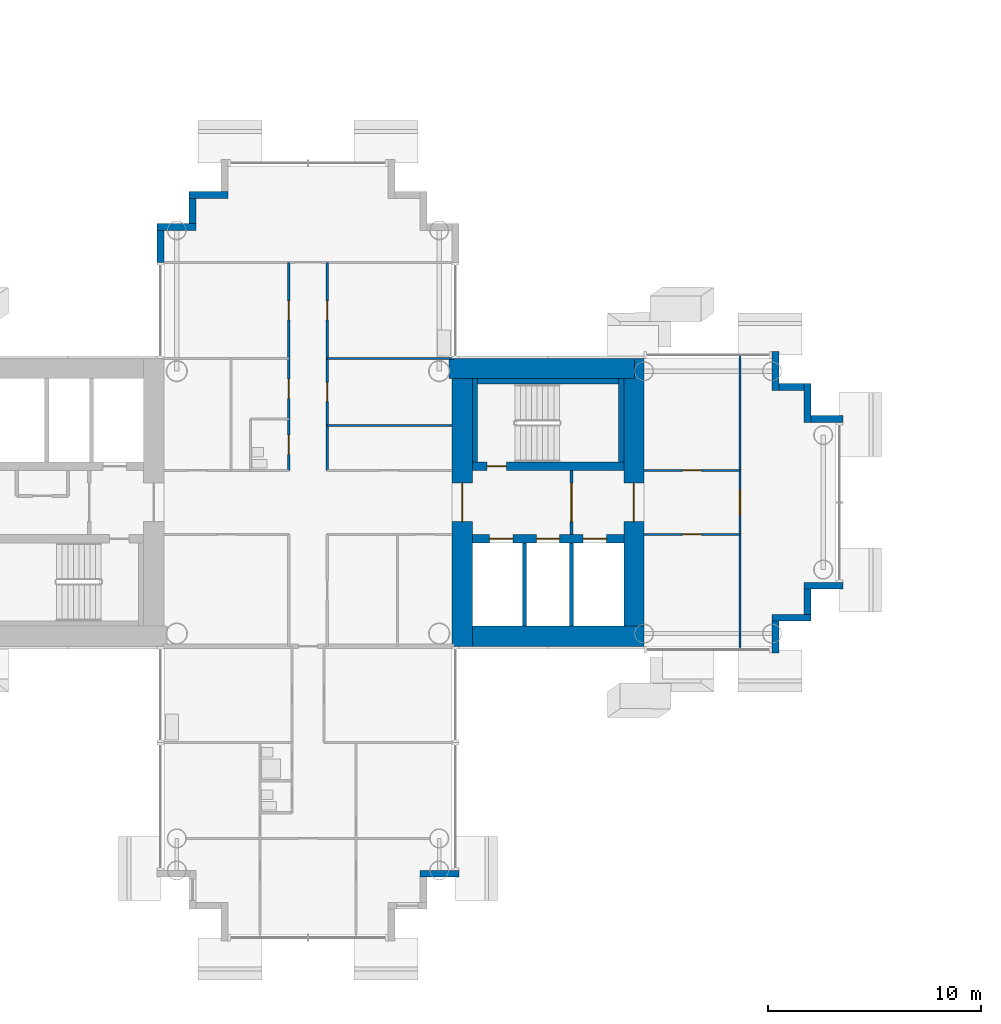
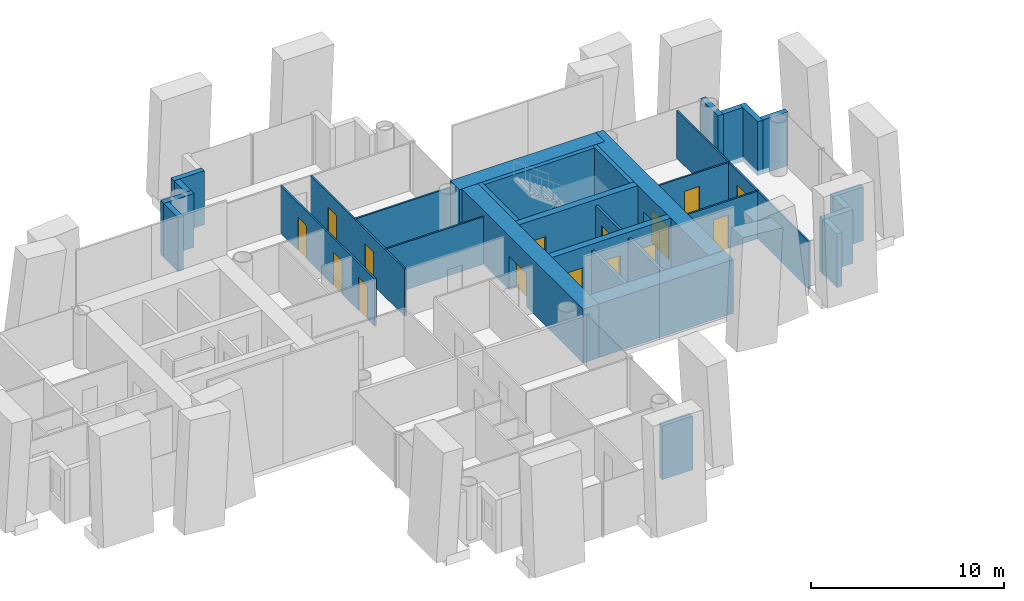
# One storey, part 10 of 21: 32 walls, 15 doors, 15 openings.
"""IFC4 building model written with IfcOpenShell, lengths in metres."""

from ifc_helpers import new_model, si_unit, direction, frame, frame_2d, origin, place, context, subcontext, project, spatial, rectangle, extrude, material, layer, layer_set, type_object, element, fill, save


model = new_model("IFC4")

# Units and contexts
model_context = context("Model", 3, precision=1e-05, world=origin(), true_north=direction((0.0, 1.0)))
body_context = subcontext(model_context, "Body", "Model", "MODEL_VIEW")
ifc_project = project(units=[si_unit("LENGTHUNIT", "METRE"), si_unit("AREAUNIT", "SQUARE_METRE"), si_unit("VOLUMEUNIT", "CUBIC_METRE"), si_unit("PLANEANGLEUNIT", "RADIAN"), si_unit("MASSUNIT", "GRAM", prefix="KILO")], contexts=[model_context])

# Site, building, storey
site_placement = place(None, origin())
site = spatial("IfcSite", under=ifc_project, at=site_placement, CompositionType="ELEMENT")
building_placement = place(site_placement, origin())
building = spatial("IfcBuilding", under=site, at=building_placement, Name="Ipe Terrace Towers", CompositionType="ELEMENT")
storey_placement = place(building_placement, frame((0.0, 0.0, 86.800048828125)))
storey = spatial("IfcBuildingStorey", under=building, at=storey_placement, Name="L23", CompositionType="ELEMENT", Elevation=86.800048828125)

# Walls
ifc_material_1 = material(Name="Concrete C40/50 with buff precast cladding", Category="concrete")
ifc_layer_1 = layer(ifc_material_1, 0.320068359375)
ifc_layer_set_1 = layer_set([ifc_layer_1], Name="BUFF CLADDING WALL 320")
wall_type_1 = type_object("IfcWallType", Name="BUFF CLADDING WALL 320", PredefinedType="STANDARD", material=ifc_layer_set_1)
wall_1_placement = place(storey_placement, frame((-30.75, -17.409912109375, -0.300048828125), z_axis=(0.0, 0.0, 1.0), x_axis=(1.0, 0.0, 0.0)))
element("IfcWall", 1, at=wall_1_placement, inside=storey, type_object=wall_type_1, Name="T1-W-L23-16a wall", PredefinedType="STANDARD", context=body_context, shape_type="SweptSolid", body=[
    extrude(rectangle(XDim=1.820068359375, YDim=0.320068359375, at=frame_2d((0.91015625, 0.0))), origin(), (0.0, 0.0, 1.0), 3.39990234375),
])
wall_2_placement = place(storey_placement, frame((-14.090087890625, -7.070068359375, -0.300048828125), z_axis=(0.0, 0.0, 1.0), x_axis=(0.0, 1.0, 0.0)))
element("IfcWall", 2, at=wall_2_placement, inside=storey, type_object=wall_type_1, Name="T1-W-L23-21a wall", PredefinedType="STANDARD", context=body_context, shape_type="SweptSolid", body=[
    extrude(rectangle(XDim=1.5, YDim=0.320068359375, at=frame_2d((0.75, 0.0))), origin(), (0.0, 0.0, 1.0), 3.39990234375),
])
wall_3_placement = place(storey_placement, frame((-14.25, -5.409912109375, -0.300048828125), z_axis=(0.0, 0.0, 1.0), x_axis=(1.0, 0.0, 0.0)))
element("IfcWall", 3, at=wall_3_placement, inside=storey, type_object=wall_type_1, Name="T1-W-L23-22a wall", PredefinedType="STANDARD", context=body_context, shape_type="SweptSolid", body=[
    extrude(rectangle(XDim=1.820068359375, YDim=0.320068359375, at=frame_2d((0.91015625, 0.0))), origin(), (0.0, 0.0, 1.0), 3.39990234375),
])
wall_4_placement = place(storey_placement, frame((-12.590087890625, -5.25, -0.300048828125), z_axis=(0.0, 0.0, 1.0), x_axis=(0.0, 1.0, 0.0)))
element("IfcWall", 4, at=wall_4_placement, inside=storey, type_object=wall_type_1, Name="T1-W-L23-23a wall", PredefinedType="STANDARD", context=body_context, shape_type="SweptSolid", body=[
    extrude(rectangle(XDim=1.179931640625, YDim=0.320068359375, at=frame_2d((0.58984375, 0.0))), origin(), (0.0, 0.0, 1.0), 3.39990234375),
])
wall_5_placement = place(storey_placement, frame((-12.75, -3.909912109375, -0.300048828125), z_axis=(0.0, 0.0, 1.0), x_axis=(1.0, 0.0, 0.0)))
element("IfcWall", 5, at=wall_5_placement, inside=storey, type_object=wall_type_1, Name="T1-W-L23-24a wall", PredefinedType="STANDARD", context=body_context, shape_type="SweptSolid", body=[
    extrude(rectangle(XDim=1.820068359375, YDim=0.320068359375, at=frame_2d((0.91015625, 0.0))), origin(), (0.0, 0.0, 1.0), 3.39990234375),
])
wall_6_placement = place(storey_placement, frame((-10.929931640625, 3.909912109375, -0.300048828125), z_axis=(0.0, 0.0, 1.0), x_axis=(-1.0, 0.0, 0.0)))
element("IfcWall", 6, at=wall_6_placement, inside=storey, type_object=wall_type_1, Name="T1-W-L23-26a wall", PredefinedType="STANDARD", context=body_context, shape_type="SweptSolid", body=[
    extrude(rectangle(XDim=1.5, YDim=0.320068359375, at=frame_2d((0.75, 0.0))), origin(), (0.0, 0.0, 1.0), 3.39990234375),
])
wall_7_placement = place(storey_placement, frame((-12.590087890625, 3.75, -0.300048828125), z_axis=(0.0, 0.0, 1.0), x_axis=(0.0, 1.0, 0.0)))
element("IfcWall", 7, at=wall_7_placement, inside=storey, type_object=wall_type_1, Name="T1-W-L23-27a wall", PredefinedType="STANDARD", context=body_context, shape_type="SweptSolid", body=[
    extrude(rectangle(XDim=1.820068359375, YDim=0.320068359375, at=frame_2d((0.91015625, 0.0))), origin(), (0.0, 0.0, 1.0), 3.39990234375),
])
wall_8_placement = place(storey_placement, frame((-12.75, 5.409912109375, -0.300048828125), z_axis=(0.0, 0.0, 1.0), x_axis=(-1.0, 0.0, 0.0)))
element("IfcWall", 8, at=wall_8_placement, inside=storey, type_object=wall_type_1, Name="T1-W-L23-28a wall", PredefinedType="STANDARD", context=body_context, shape_type="SweptSolid", body=[
    extrude(rectangle(XDim=1.179931640625, YDim=0.320068359375, at=frame_2d((0.58984375, 0.0))), origin(), (0.0, 0.0, 1.0), 3.39990234375),
])
for number, where, z_axis, x_axis, name in (
    (9, (-14.090087890625, 5.25, -0.300048828125), (0.0, 0.0, 1.0), (0.0, 1.0, 0.0), "T1-W-L23-29a wall"),
    (10, (-39.75, 14.409912109375, -0.300048828125), (0.0, 0.0, 1.0), (-1.0, 0.0, 0.0), "T1-W-L23-40a wall"),
):
    element("IfcWall", number, at=place(storey_placement, frame(where, z_axis=z_axis, x_axis=x_axis)), inside=storey, type_object=wall_type_1, Name=name, PredefinedType="STANDARD", context=body_context, shape_type="SweptSolid", body=[
        extrude(rectangle(XDim=1.820068359375, YDim=0.320068359375, at=frame_2d((0.91015625, 0.0))), origin(), (0.0, 0.0, 1.0), 3.39990234375),
    ])
wall_9_placement = place(storey_placement, frame((-41.409912109375, 14.25, -0.300048828125), z_axis=(0.0, 0.0, 1.0), x_axis=(0.0, -1.0, 0.0)))
element("IfcWall", 11, at=wall_9_placement, inside=storey, type_object=wall_type_1, Name="T1-W-L23-41a wall", PredefinedType="STANDARD", context=body_context, shape_type="SweptSolid", body=[
    extrude(rectangle(XDim=1.179931640625, YDim=0.320068359375, at=frame_2d((0.58984375, 0.0))), origin(), (0.0, 0.0, 1.0), 3.39990234375),
])
wall_10_placement = place(storey_placement, frame((-41.25, 12.909912109375, -0.300048828125), z_axis=(0.0, 0.0, 1.0), x_axis=(-1.0, 0.0, 0.0)))
element("IfcWall", 12, at=wall_10_placement, inside=storey, type_object=wall_type_1, Name="T1-W-L23-42a wall", PredefinedType="STANDARD", context=body_context, shape_type="SweptSolid", body=[
    extrude(rectangle(XDim=1.820068359375, YDim=0.320068359375, at=frame_2d((0.91015625, 0.0))), origin(), (0.0, 0.0, 1.0), 3.39990234375),
])
wall_11_placement = place(storey_placement, frame((-42.909912109375, 12.75, -0.300048828125), z_axis=(0.0, 0.0, 1.0), x_axis=(0.0, -1.0, 0.0)))
element("IfcWall", 13, at=wall_11_placement, inside=storey, type_object=wall_type_1, Name="T1-W-L23-43a wall", PredefinedType="STANDARD", context=body_context, shape_type="SweptSolid", body=[
    extrude(rectangle(XDim=1.5, YDim=0.320068359375, at=frame_2d((0.75, 0.0))), origin(), (0.0, 0.0, 1.0), 3.39990234375),
])

# Wall, openings, doors
ifc_material_2 = material(Name="Gypsum board partition", Category="plasterboard")
ifc_layer_2 = layer(ifc_material_2, 0.10009765625)
ifc_layer_set_2 = layer_set([ifc_layer_2], Name="Gypsum board partition 100 mm")
wall_type_2 = type_object("IfcWallType", Name="Gypsum board partition 100 mm", PredefinedType="PARTITIONING", material=ifc_layer_set_2)
wall_12_placement = place(storey_placement, frame((-36.89990234375, 1.5, 0.0), z_axis=(0.0, 0.0, 1.0), x_axis=(0.0, 1.0, 0.0)))
wall_12 = element("IfcWall", 14, at=wall_12_placement, inside=storey, type_object=wall_type_2, Name="Gypsum board partition T1 L23 W08", PredefinedType="PARTITIONING", context=body_context, shape_type="SweptSolid", body=[
    extrude(rectangle(XDim=9.75, YDim=0.10009765625, at=frame_2d((4.875, 0.0))), origin(), (0.0, 0.0, 1.0), 3.0),
])
opening_1_placement = place(wall_12_placement, frame((0.75, 0.0, 0.0)))
opening_1 = element("IfcOpeningElement", 15, at=opening_1_placement, cuts=wall_12, Name="Opening T1-Z2C-01", PredefinedType="OPENING", context=body_context, shape_type="SweptSolid", body=[
    extrude(rectangle(XDim=0.89990234375, YDim=2.10009765625, at=frame_2d((0.449951171875, 1.050048828125))), frame((0.0, 0.06005859375, 0.0), z_axis=(0.0, -1.0, 0.0), x_axis=(1.0, 0.0, 0.0)), (0.0, 0.0, 1.0), 0.1201171875),
])
opening_2_placement = place(wall_12_placement, frame((3.375, 0.0, 0.0)))
opening_2 = element("IfcOpeningElement", 16, at=opening_2_placement, cuts=wall_12, Name="Opening T1-Z2C-04", PredefinedType="OPENING", context=body_context, shape_type="SweptSolid", body=[
    extrude(rectangle(XDim=0.89990234375, YDim=2.10009765625, at=frame_2d((0.449951171875, 1.050048828125))), frame((0.0, 0.06005859375, 0.0), z_axis=(0.0, -1.0, 0.0), x_axis=(1.0, 0.0, 0.0)), (0.0, 0.0, 1.0), 0.1201171875),
])
opening_3_placement = place(wall_12_placement, frame((7.050048828125, 0.0, 0.0)))
opening_3 = element("IfcOpeningElement", 17, at=opening_3_placement, cuts=wall_12, Name="Opening T1-Z2C-09", PredefinedType="OPENING", context=body_context, shape_type="SweptSolid", body=[
    extrude(rectangle(XDim=0.89990234375, YDim=2.10009765625, at=frame_2d((0.449951171875, 1.050048828125))), frame((0.0, 0.06005859375, 0.0), z_axis=(0.0, -1.0, 0.0), x_axis=(1.0, 0.0, 0.0)), (0.0, 0.0, 1.0), 0.1201171875),
])
ifc_material_3 = material(Name="Timber door leaf", Category="wood")
door_type_1 = type_object("IfcDoorType", Name="Bathroom door 900 x 2100", OperationType="NOTDEFINED", PredefinedType="DOOR", material=ifc_material_3)
door_1_placement = place(opening_1_placement, origin())
door_1 = element("IfcDoor", 18, at=door_1_placement, inside=storey, type_object=door_type_1, Name="Bathroom door T1-Z2C-01", OperationType="SINGLE_SWING_RIGHT", OverallHeight=2.10009765625, OverallWidth=0.89990234375, PredefinedType="DOOR", context=body_context, shape_type="SweptSolid", body=[
    extrude(rectangle(XDim=0.89990234375, YDim=2.10009765625, at=frame_2d((0.449951171875, 1.050048828125))), frame((0.0, 0.02490234375, 0.0), z_axis=(0.0, -1.0, 0.0), x_axis=(1.0, 0.0, 0.0)), (0.0, 0.0, 1.0), 0.050048828125),
])
fill(opening_1, door_1)
ifc_material_4 = material(Name="Timber door leaf", Category="wood")
door_type_2 = type_object("IfcDoorType", Name="Lounge door 900 x 2100", OperationType="NOTDEFINED", PredefinedType="DOOR", material=ifc_material_4)
door_2_placement = place(opening_2_placement, origin())
door_2 = element("IfcDoor", 19, at=door_2_placement, inside=storey, type_object=door_type_2, Name="Lounge door T1-Z2C-04", OperationType="SINGLE_SWING_RIGHT", OverallHeight=2.10009765625, OverallWidth=0.89990234375, PredefinedType="DOOR", context=body_context, shape_type="SweptSolid", body=[
    extrude(rectangle(XDim=0.89990234375, YDim=2.10009765625, at=frame_2d((0.449951171875, 1.050048828125))), frame((0.0, 0.02490234375, 0.0), z_axis=(0.0, -1.0, 0.0), x_axis=(1.0, 0.0, 0.0)), (0.0, 0.0, 1.0), 0.050048828125),
])
fill(opening_2, door_2)
door_3_placement = place(opening_3_placement, origin())
door_3 = element("IfcDoor", 20, at=door_3_placement, inside=storey, type_object=door_type_2, Name="Lounge door T1-Z2C-09", OperationType="SINGLE_SWING_LEFT", OverallHeight=2.10009765625, OverallWidth=0.89990234375, PredefinedType="DOOR", context=body_context, shape_type="SweptSolid", body=[
    extrude(rectangle(XDim=0.89990234375, YDim=2.10009765625, at=frame_2d((0.449951171875, 1.050048828125))), frame((0.0, 0.02490234375, 0.0), z_axis=(0.0, -1.0, 0.0), x_axis=(1.0, 0.0, 0.0)), (0.0, 0.0, 1.0), 0.050048828125),
])
fill(opening_3, door_3)

wall_13_placement = place(storey_placement, frame((-35.10009765625, 1.5, 0.0), z_axis=(0.0, 0.0, 1.0), x_axis=(0.0, 1.0, 0.0)))
wall_13 = element("IfcWall", 21, at=wall_13_placement, inside=storey, type_object=wall_type_2, Name="Gypsum board partition T1 L23 W12", PredefinedType="PARTITIONING", context=body_context, shape_type="SweptSolid", body=[
    extrude(rectangle(XDim=9.75, YDim=0.10009765625, at=frame_2d((4.875, 0.0))), origin(), (0.0, 0.0, 1.0), 3.0),
])
opening_4_placement = place(wall_13_placement, frame((3.22509765625, 0.0, 0.0)))
opening_4 = element("IfcOpeningElement", 22, at=opening_4_placement, cuts=wall_13, Name="Opening T1-Z2C-03", PredefinedType="OPENING", context=body_context, shape_type="SweptSolid", body=[
    extrude(rectangle(XDim=0.89990234375, YDim=2.10009765625, at=frame_2d((0.449951171875, 1.050048828125))), frame((0.0, 0.06005859375, 0.0), z_axis=(0.0, -1.0, 0.0), x_axis=(1.0, 0.0, 0.0)), (0.0, 0.0, 1.0), 0.1201171875),
])
opening_5_placement = place(wall_13_placement, frame((7.050048828125, 0.0, 0.0)))
opening_5 = element("IfcOpeningElement", 23, at=opening_5_placement, cuts=wall_13, Name="Opening T1-Z2C-10", PredefinedType="OPENING", context=body_context, shape_type="SweptSolid", body=[
    extrude(rectangle(XDim=0.89990234375, YDim=2.10009765625, at=frame_2d((0.449951171875, 1.050048828125))), frame((0.0, 0.06005859375, 0.0), z_axis=(0.0, -1.0, 0.0), x_axis=(1.0, 0.0, 0.0)), (0.0, 0.0, 1.0), 0.1201171875),
])
door_4_placement = place(opening_4_placement, origin())
door_4 = element("IfcDoor", 24, at=door_4_placement, inside=storey, type_object=door_type_2, Name="Lounge door T1-Z2C-03", OperationType="SINGLE_SWING_LEFT", OverallHeight=2.10009765625, OverallWidth=0.89990234375, PredefinedType="DOOR", context=body_context, shape_type="SweptSolid", body=[
    extrude(rectangle(XDim=0.89990234375, YDim=2.10009765625, at=frame_2d((0.449951171875, 1.050048828125))), frame((0.0, 0.02490234375, 0.0), z_axis=(0.0, -1.0, 0.0), x_axis=(1.0, 0.0, 0.0)), (0.0, 0.0, 1.0), 0.050048828125),
])
fill(opening_4, door_4)
door_5_placement = place(opening_5_placement, origin())
door_5 = element("IfcDoor", 25, at=door_5_placement, inside=storey, type_object=door_type_2, Name="Lounge door T1-Z2C-10", OperationType="SINGLE_SWING_RIGHT", OverallHeight=2.10009765625, OverallWidth=0.89990234375, PredefinedType="DOOR", context=body_context, shape_type="SweptSolid", body=[
    extrude(rectangle(XDim=0.89990234375, YDim=2.10009765625, at=frame_2d((0.449951171875, 1.050048828125))), frame((0.0, 0.02490234375, 0.0), z_axis=(0.0, -1.0, 0.0), x_axis=(1.0, 0.0, 0.0)), (0.0, 0.0, 1.0), 0.050048828125),
])
fill(opening_5, door_5)

# Wall, opening, door
wall_14_placement = place(storey_placement, frame((-15.75, -6.85009765625, 0.0), z_axis=(0.0, 0.0, 1.0), x_axis=(0.0, 1.0, 0.0)))
wall_14 = element("IfcWall", 26, at=wall_14_placement, inside=storey, type_object=wall_type_2, Name="Gypsum board partition T1 L23 W15", PredefinedType="PARTITIONING", context=body_context, shape_type="SweptSolid", body=[
    extrude(rectangle(XDim=13.7001953125, YDim=0.10009765625, at=frame_2d((6.85009765625, 0.0))), origin(), (0.0, 0.0, 1.0), 3.0),
])
opening_6_placement = place(wall_14_placement, frame((6.25, 0.0, 0.0)))
opening_6 = element("IfcOpeningElement", 27, at=opening_6_placement, cuts=wall_14, Name="Opening T1-Z2C-24", PredefinedType="OPENING", context=body_context, shape_type="SweptSolid", body=[
    extrude(rectangle(XDim=1.199951171875, YDim=2.10009765625, at=frame_2d((0.60009765625, 1.050048828125))), frame((0.0, 0.06005859375, 0.0), z_axis=(0.0, -1.0, 0.0), x_axis=(1.0, 0.0, 0.0)), (0.0, 0.0, 1.0), 0.1201171875),
])
ifc_material_5 = material(Name="Timber door leaf", Category="wood")
door_type_3 = type_object("IfcDoorType", Name="Lounge door 1200 x 2100", OperationType="NOTDEFINED", PredefinedType="DOOR", material=ifc_material_5)
door_6_placement = place(opening_6_placement, origin())
door_6 = element("IfcDoor", 28, at=door_6_placement, inside=storey, type_object=door_type_3, Name="Lounge door T1-Z2C-24", OperationType="SINGLE_SWING_RIGHT", OverallHeight=2.10009765625, OverallWidth=1.199951171875, PredefinedType="DOOR", context=body_context, shape_type="SweptSolid", body=[
    extrude(rectangle(XDim=1.199951171875, YDim=2.10009765625, at=frame_2d((0.60009765625, 1.050048828125))), frame((0.0, 0.02490234375, 0.0), z_axis=(0.0, -1.0, 0.0), x_axis=(1.0, 0.0, 0.0)), (0.0, 0.0, 1.0), 0.050048828125),
])
fill(opening_6, door_6)

wall_15_placement = place(storey_placement, frame((-20.25, -1.5, 0.0), z_axis=(0.0, 0.0, 1.0), x_axis=(1.0, 0.0, 0.0)))
wall_15 = element("IfcWall", 29, at=wall_15_placement, inside=storey, type_object=wall_type_2, Name="Gypsum board partition T1 L23 W26", PredefinedType="PARTITIONING", context=body_context, shape_type="SweptSolid", body=[
    extrude(rectangle(XDim=4.5, YDim=0.10009765625, at=frame_2d((2.25, 0.0))), origin(), (0.0, 0.0, 1.0), 3.0),
])
opening_7_placement = place(wall_15_placement, frame((1.800048828125, 0.0, 0.0)))
opening_7 = element("IfcOpeningElement", 30, at=opening_7_placement, cuts=wall_15, Name="Opening T1-Z2C-23", PredefinedType="OPENING", context=body_context, shape_type="SweptSolid", body=[
    extrude(rectangle(XDim=0.89990234375, YDim=2.10009765625, at=frame_2d((0.449951171875, 1.050048828125))), frame((0.0, 0.06005859375, 0.0), z_axis=(0.0, -1.0, 0.0), x_axis=(1.0, 0.0, 0.0)), (0.0, 0.0, 1.0), 0.1201171875),
])
door_7_placement = place(opening_7_placement, origin())
door_7 = element("IfcDoor", 31, at=door_7_placement, inside=storey, type_object=door_type_2, Name="Lounge door T1-Z2C-23", OperationType="SINGLE_SWING_RIGHT", OverallHeight=2.10009765625, OverallWidth=0.89990234375, PredefinedType="DOOR", context=body_context, shape_type="SweptSolid", body=[
    extrude(rectangle(XDim=0.89990234375, YDim=2.10009765625, at=frame_2d((0.449951171875, 1.050048828125))), frame((0.0, 0.02490234375, 0.0), z_axis=(0.0, -1.0, 0.0), x_axis=(1.0, 0.0, 0.0)), (0.0, 0.0, 1.0), 0.050048828125),
])
fill(opening_7, door_7)

wall_16_placement = place(storey_placement, frame((-20.25, 1.5, 0.0), z_axis=(0.0, 0.0, 1.0), x_axis=(1.0, 0.0, 0.0)))
wall_16 = element("IfcWall", 32, at=wall_16_placement, inside=storey, type_object=wall_type_2, Name="Gypsum board partition T1 L23 W32", PredefinedType="PARTITIONING", context=body_context, shape_type="SweptSolid", body=[
    extrude(rectangle(XDim=4.5, YDim=0.10009765625, at=frame_2d((2.25, 0.0))), origin(), (0.0, 0.0, 1.0), 3.0),
])
opening_8_placement = place(wall_16_placement, frame((1.800048828125, 0.0, 0.0)))
opening_8 = element("IfcOpeningElement", 33, at=opening_8_placement, cuts=wall_16, Name="Opening T1-Z2C-22", PredefinedType="OPENING", context=body_context, shape_type="SweptSolid", body=[
    extrude(rectangle(XDim=0.89990234375, YDim=2.10009765625, at=frame_2d((0.449951171875, 1.050048828125))), frame((0.0, 0.06005859375, 0.0), z_axis=(0.0, -1.0, 0.0), x_axis=(1.0, 0.0, 0.0)), (0.0, 0.0, 1.0), 0.1201171875),
])
door_8_placement = place(opening_8_placement, origin())
door_8 = element("IfcDoor", 34, at=door_8_placement, inside=storey, type_object=door_type_2, Name="Lounge door T1-Z2C-22", OperationType="SINGLE_SWING_LEFT", OverallHeight=2.10009765625, OverallWidth=0.89990234375, PredefinedType="DOOR", context=body_context, shape_type="SweptSolid", body=[
    extrude(rectangle(XDim=0.89990234375, YDim=2.10009765625, at=frame_2d((0.449951171875, 1.050048828125))), frame((0.0, 0.02490234375, 0.0), z_axis=(0.0, -1.0, 0.0), x_axis=(1.0, 0.0, 0.0)), (0.0, 0.0, 1.0), 0.050048828125),
])
fill(opening_8, door_8)

# Walls
wall_17_placement = place(storey_placement, frame((-35.10009765625, 3.60009765625, 0.0), z_axis=(0.0, 0.0, 1.0), x_axis=(1.0, 0.0, 0.0)))
element("IfcWall", 35, at=wall_17_placement, inside=storey, type_object=wall_type_2, Name="Gypsum board partition T1 L23 W34", PredefinedType="PARTITIONING", context=body_context, shape_type="SweptSolid", body=[
    extrude(rectangle(XDim=5.85009765625, YDim=0.10009765625, at=frame_2d((2.925048828125, 0.0))), origin(), (0.0, 0.0, 1.0), 3.0),
])
wall_18_placement = place(storey_placement, frame((-35.10009765625, 6.75, 0.0), z_axis=(0.0, 0.0, 1.0), x_axis=(1.0, 0.0, 0.0)))
element("IfcWall", 36, at=wall_18_placement, inside=storey, type_object=wall_type_2, Name="Gypsum board partition T1 L23 W37", PredefinedType="PARTITIONING", context=body_context, shape_type="SweptSolid", body=[
    extrude(rectangle(XDim=5.9501953125, YDim=0.10009765625, at=frame_2d((2.97509765625, 0.0))), origin(), (0.0, 0.0, 1.0), 3.0),
])

# Wall, opening, door
ifc_material_6 = material(Name="Gypsum board partition", Category="plasterboard")
ifc_layer_3 = layer(ifc_material_6, 0.14990234375)
ifc_layer_set_3 = layer_set([ifc_layer_3], Name="Gypsum board partition 150 mm")
wall_type_3 = type_object("IfcWallType", Name="Gypsum board partition 150 mm", PredefinedType="PARTITIONING", material=ifc_layer_set_3)
wall_19_placement = place(storey_placement, frame((-23.64990234375, -1.5, 0.0), z_axis=(0.0, 0.0, 1.0), x_axis=(0.0, 1.0, 0.0)))
wall_19 = element("IfcWall", 37, at=wall_19_placement, inside=storey, type_object=wall_type_3, Name="Gypsum board partition T1 L23 t1c1-lobby-wall", PredefinedType="PARTITIONING", context=body_context, shape_type="SweptSolid", body=[
    extrude(rectangle(XDim=3.0, YDim=0.14990234375, at=frame_2d((1.5, 0.0))), origin(), (0.0, 0.0, 1.0), 3.0),
])
opening_9_placement = place(wall_19_placement, frame((0.60009765625, 0.0, 0.0)))
opening_9 = element("IfcOpeningElement", 38, at=opening_9_placement, cuts=wall_19, Name="Opening T1C1-VD", PredefinedType="OPENING", context=body_context, shape_type="SweptSolid", body=[
    extrude(rectangle(XDim=1.800048828125, YDim=2.10009765625, at=frame_2d((0.89990234375, 1.050048828125))), frame((0.0, 0.0849609375, 0.0), z_axis=(0.0, -1.0, 0.0), x_axis=(1.0, 0.0, 0.0)), (0.0, 0.0, 1.0), 0.169921875),
])
ifc_material_7 = material(Name="Fire-rated timber door leaf", Category="wood")
door_type_4 = type_object("IfcDoorType", Name="Lobby door 1800 x 2100 FD60", OperationType="NOTDEFINED", PredefinedType="DOOR", material=ifc_material_7)
door_9_placement = place(opening_9_placement, origin())
door_9 = element("IfcDoor", 39, at=door_9_placement, inside=storey, type_object=door_type_4, Name="Lobby door T1C1-VD", OperationType="SINGLE_SWING_LEFT", OverallHeight=2.10009765625, OverallWidth=1.800048828125, PredefinedType="DOOR", context=body_context, shape_type="SweptSolid", body=[
    extrude(rectangle(XDim=1.800048828125, YDim=2.10009765625, at=frame_2d((0.89990234375, 1.050048828125))), frame((0.0, 0.02490234375, 0.0), z_axis=(0.0, -1.0, 0.0), x_axis=(1.0, 0.0, 0.0)), (0.0, 0.0, 1.0), 0.050048828125),
])
fill(opening_9, door_9)

# Walls
ifc_material_8 = material(Name="Gypsum board party wall", Category="plasterboard")
ifc_layer_4 = layer(ifc_material_8, 0.199951171875)
ifc_layer_set_4 = layer_set([ifc_layer_4], Name="Gypsum board party wall 200 mm")
wall_type_4 = type_object("IfcWallType", Name="Gypsum board party wall 200 mm", PredefinedType="SOLIDWALL", material=ifc_layer_set_4)
for number, where, z_axis, x_axis, name in (
    (40, (-25.85009765625, -5.800048828125, 0.0), (0.0, 0.0, 1.0), (0.0, 1.0, 0.0), "Gypsum board party wall T1 L23 t1c1-shaft-div1"),
    (41, (-23.64990234375, -5.800048828125, 0.0), (0.0, 0.0, 1.0), (0.0, 1.0, 0.0), "Gypsum board party wall T1 L23 t1c1-shaft-div2"),
):
    element("IfcWall", number, at=place(storey_placement, frame(where, z_axis=z_axis, x_axis=x_axis)), inside=storey, type_object=wall_type_4, Name=name, PredefinedType="SOLIDWALL", context=body_context, shape_type="SweptSolid", body=[
        extrude(rectangle(XDim=3.900146484375, YDim=0.199951171875, at=frame_2d((1.9501953125, 0.0))), origin(), (0.0, 0.0, 1.0), 3.0),
    ])
ifc_material_9 = material(Name="Concrete C50/60", Category="concrete")
ifc_layer_5 = layer(ifc_material_9, 0.25)
ifc_layer_set_5 = layer_set([ifc_layer_5], Name="RW250 CORE INFILL WALL 250 C50-60")
wall_type_5 = type_object("IfcWallType", Name="RW250 CORE INFILL WALL 250 C50-60", PredefinedType="SHEAR", material=ifc_layer_set_5)
wall_20_placement = place(storey_placement, frame((-21.324951171875, 1.89990234375, 0.0), z_axis=(0.0, 0.0, 1.0), x_axis=(0.0, 1.0, 0.0)))
element("IfcWall", 42, at=wall_20_placement, inside=storey, type_object=wall_type_5, Name="Core infill wall T1-C1-far", PredefinedType="SHEAR", context=body_context, shape_type="SweptSolid", body=[
    extrude(rectangle(XDim=3.900146484375, YDim=0.25, at=frame_2d((1.9501953125, 0.0))), origin(), (0.0, 0.0, 1.0), 3.39990234375),
])
wall_21_placement = place(storey_placement, frame((-28.050048828125, 5.675048828125, 0.0), z_axis=(0.0, 0.0, 1.0), x_axis=(1.0, 0.0, 0.0)))
element("IfcWall", 43, at=wall_21_placement, inside=storey, type_object=wall_type_5, Name="Core infill wall T1-C1-back", PredefinedType="SHEAR", context=body_context, shape_type="SweptSolid", body=[
    extrude(rectangle(XDim=6.60009765625, YDim=0.25, at=frame_2d((3.300048828125, 0.0))), origin(), (0.0, 0.0, 1.0), 3.39990234375),
])
wall_22_placement = place(storey_placement, frame((-28.175048828125, 1.89990234375, 0.0), z_axis=(0.0, 0.0, 1.0), x_axis=(0.0, 1.0, 0.0)))
element("IfcWall", 44, at=wall_22_placement, inside=storey, type_object=wall_type_5, Name="Core infill wall T1-C1-near", PredefinedType="SHEAR", context=body_context, shape_type="SweptSolid", body=[
    extrude(rectangle(XDim=3.900146484375, YDim=0.25, at=frame_2d((1.9501953125, 0.0))), origin(), (0.0, 0.0, 1.0), 3.39990234375),
])

# Wall, openings, doors
ifc_material_10 = material(Name="Concrete C50/60", Category="concrete")
ifc_layer_6 = layer(ifc_material_10, 0.39990234375)
ifc_layer_set_6 = layer_set([ifc_layer_6], Name="RW400 CORE SPINE WALL 400 C50-60")
wall_type_6 = type_object("IfcWallType", Name="RW400 CORE SPINE WALL 400 C50-60", PredefinedType="SHEAR", material=ifc_layer_set_6)
wall_23_placement = place(storey_placement, frame((-28.300048828125, -1.699951171875, 0.0), z_axis=(0.0, 0.0, 1.0), x_axis=(1.0, 0.0, 0.0)))
wall_23 = element("IfcWall", 45, at=wall_23_placement, inside=storey, type_object=wall_type_6, Name="Core spine wall T1-C1-Z2-SW1", PredefinedType="SHEAR", context=body_context, shape_type="SweptSolid", body=[
    extrude(rectangle(XDim=7.10009765625, YDim=0.39990234375, at=frame_2d((3.550048828125, 0.0))), origin(), (0.0, 0.0, 1.0), 3.39990234375),
])
opening_10_placement = place(wall_23_placement, frame((0.800048828125, 0.0, 0.0)))
opening_10 = element("IfcOpeningElement", 46, at=opening_10_placement, cuts=wall_23, Name="Opening T1C1-LD1", PredefinedType="OPENING", context=body_context, shape_type="SweptSolid", body=[
    extrude(rectangle(XDim=1.10009765625, YDim=2.10009765625, at=frame_2d((0.550048828125, 1.050048828125))), frame((0.0, 0.2099609375, 0.0), z_axis=(0.0, -1.0, 0.0), x_axis=(1.0, 0.0, 0.0)), (0.0, 0.0, 1.0), 0.419921875),
])
opening_11_placement = place(wall_23_placement, frame((3.0, 0.0, 0.0)))
opening_11 = element("IfcOpeningElement", 47, at=opening_11_placement, cuts=wall_23, Name="Opening T1C1-LD2", PredefinedType="OPENING", context=body_context, shape_type="SweptSolid", body=[
    extrude(rectangle(XDim=1.10009765625, YDim=2.10009765625, at=frame_2d((0.550048828125, 1.050048828125))), frame((0.0, 0.2099609375, 0.0), z_axis=(0.0, -1.0, 0.0), x_axis=(1.0, 0.0, 0.0)), (0.0, 0.0, 1.0), 0.419921875),
])
opening_12_placement = place(wall_23_placement, frame((5.199951171875, 0.0, 0.0)))
opening_12 = element("IfcOpeningElement", 48, at=opening_12_placement, cuts=wall_23, Name="Opening T1C1-LD3", PredefinedType="OPENING", context=body_context, shape_type="SweptSolid", body=[
    extrude(rectangle(XDim=1.10009765625, YDim=2.10009765625, at=frame_2d((0.550048828125, 1.050048828125))), frame((0.0, 0.2099609375, 0.0), z_axis=(0.0, -1.0, 0.0), x_axis=(1.0, 0.0, 0.0)), (0.0, 0.0, 1.0), 0.419921875),
])
ifc_material_11 = material(Name="Fire-rated timber door leaf", Category="wood")
door_type_5 = type_object("IfcDoorType", Name="Sliding door 1100 x 2100 FD60", OperationType="SLIDING_TO_LEFT", PredefinedType="DOOR", material=ifc_material_11)
door_10_placement = place(opening_10_placement, origin())
door_10 = element("IfcDoor", 49, at=door_10_placement, inside=storey, type_object=door_type_5, Name="Sliding door T1C1-LD1", OperationType="SLIDING_TO_LEFT", OverallHeight=2.10009765625, OverallWidth=1.10009765625, PredefinedType="DOOR", context=body_context, shape_type="SweptSolid", body=[
    extrude(rectangle(XDim=1.10009765625, YDim=2.10009765625, at=frame_2d((0.550048828125, 1.050048828125))), frame((0.0, 0.02490234375, 0.0), z_axis=(0.0, -1.0, 0.0), x_axis=(1.0, 0.0, 0.0)), (0.0, 0.0, 1.0), 0.050048828125),
])
fill(opening_10, door_10)
door_11_placement = place(opening_11_placement, origin())
door_11 = element("IfcDoor", 50, at=door_11_placement, inside=storey, type_object=door_type_5, Name="Sliding door T1C1-LD2", OperationType="SLIDING_TO_LEFT", OverallHeight=2.10009765625, OverallWidth=1.10009765625, PredefinedType="DOOR", context=body_context, shape_type="SweptSolid", body=[
    extrude(rectangle(XDim=1.10009765625, YDim=2.10009765625, at=frame_2d((0.550048828125, 1.050048828125))), frame((0.0, 0.02490234375, 0.0), z_axis=(0.0, -1.0, 0.0), x_axis=(1.0, 0.0, 0.0)), (0.0, 0.0, 1.0), 0.050048828125),
])
fill(opening_11, door_11)
door_12_placement = place(opening_12_placement, origin())
door_12 = element("IfcDoor", 51, at=door_12_placement, inside=storey, type_object=door_type_5, Name="Sliding door T1C1-LD3", OperationType="SLIDING_TO_LEFT", OverallHeight=2.10009765625, OverallWidth=1.10009765625, PredefinedType="DOOR", context=body_context, shape_type="SweptSolid", body=[
    extrude(rectangle(XDim=1.10009765625, YDim=2.10009765625, at=frame_2d((0.550048828125, 1.050048828125))), frame((0.0, 0.02490234375, 0.0), z_axis=(0.0, -1.0, 0.0), x_axis=(1.0, 0.0, 0.0)), (0.0, 0.0, 1.0), 0.050048828125),
])
fill(opening_12, door_12)

# Wall, opening, door
wall_24_placement = place(storey_placement, frame((-28.300048828125, 1.699951171875, 0.0), z_axis=(0.0, 0.0, 1.0), x_axis=(1.0, 0.0, 0.0)))
wall_24 = element("IfcWall", 52, at=wall_24_placement, inside=storey, type_object=wall_type_6, Name="Core spine wall T1-C1-Z2-SW2", PredefinedType="SHEAR", context=body_context, shape_type="SweptSolid", body=[
    extrude(rectangle(XDim=7.10009765625, YDim=0.39990234375, at=frame_2d((3.550048828125, 0.0))), origin(), (0.0, 0.0, 1.0), 3.39990234375),
])
opening_13_placement = place(wall_24_placement, frame((0.699951171875, 0.0, 0.0)))
opening_13 = element("IfcOpeningElement", 53, at=opening_13_placement, cuts=wall_24, Name="Opening T1C1-SD", PredefinedType="OPENING", context=body_context, shape_type="SweptSolid", body=[
    extrude(rectangle(XDim=0.89990234375, YDim=2.10009765625, at=frame_2d((0.449951171875, 1.050048828125))), frame((0.0, 0.2099609375, 0.0), z_axis=(0.0, -1.0, 0.0), x_axis=(1.0, 0.0, 0.0)), (0.0, 0.0, 1.0), 0.419921875),
])
ifc_material_12 = material(Name="Fire-rated timber door leaf", Category="wood")
door_type_6 = type_object("IfcDoorType", Name="Stair door 900 x 2100 FD60", OperationType="NOTDEFINED", PredefinedType="DOOR", material=ifc_material_12)
door_13_placement = place(opening_13_placement, origin())
door_13 = element("IfcDoor", 54, at=door_13_placement, inside=storey, type_object=door_type_6, Name="Stair door T1C1-SD", OperationType="SINGLE_SWING_LEFT", OverallHeight=2.10009765625, OverallWidth=0.89990234375, PredefinedType="DOOR", context=body_context, shape_type="SweptSolid", body=[
    extrude(rectangle(XDim=0.89990234375, YDim=2.10009765625, at=frame_2d((0.449951171875, 1.050048828125))), frame((0.0, 0.02490234375, 0.0), z_axis=(0.0, -1.0, 0.0), x_axis=(1.0, 0.0, 0.0)), (0.0, 0.0, 1.0), 0.050048828125),
])
fill(opening_13, door_13)

# Wall
ifc_material_13 = material(Name="Concrete C50/60", Category="concrete")
ifc_layer_7 = layer(ifc_material_13, 0.949951171875)
ifc_layer_set_7 = layer_set([ifc_layer_7], Name="RW950 CORE WALL 950 C50-60")
wall_type_7 = type_object("IfcWallType", Name="RW950 CORE WALL 950 C50-60", PredefinedType="SHEAR", material=ifc_layer_set_7)
wall_25_placement = place(storey_placement, frame((-28.300048828125, -6.27490234375, 0.0), z_axis=(0.0, 0.0, 1.0), x_axis=(1.0, 0.0, 0.0)))
element("IfcWall", 55, at=wall_25_placement, inside=storey, type_object=wall_type_7, Name="Core wall T1-C1-Z2-W01", PredefinedType="SHEAR", context=body_context, shape_type="SweptSolid", body=[
    extrude(rectangle(XDim=8.050048828125, YDim=0.949951171875, at=frame_2d((4.02490234375, 0.0))), origin(), (0.0, 0.0, 1.0), 3.39990234375),
])

# Wall, opening, door
wall_26_placement = place(storey_placement, frame((-20.72509765625, -5.800048828125, 0.0), z_axis=(0.0, 0.0, 1.0), x_axis=(0.0, 1.0, 0.0)))
wall_26 = element("IfcWall", 56, at=wall_26_placement, inside=storey, type_object=wall_type_7, Name="Core wall T1-C1-Z2-W02", PredefinedType="SHEAR", context=body_context, shape_type="SweptSolid", body=[
    extrude(rectangle(XDim=12.550048828125, YDim=0.949951171875, at=frame_2d((6.27490234375, 0.0))), origin(), (0.0, 0.0, 1.0), 3.39990234375),
])
opening_14_placement = place(wall_26_placement, frame((4.89990234375, 0.0, 0.0)))
opening_14 = element("IfcOpeningElement", 57, at=opening_14_placement, cuts=wall_26, Name="Opening T1C1-FD", PredefinedType="OPENING", context=body_context, shape_type="SweptSolid", body=[
    extrude(rectangle(XDim=1.800048828125, YDim=2.10009765625, at=frame_2d((0.89990234375, 1.050048828125))), frame((0.0, 0.48486328125, 0.0), z_axis=(0.0, -1.0, 0.0), x_axis=(1.0, 0.0, 0.0)), (0.0, 0.0, 1.0), 0.969970703125),
])
ifc_material_14 = material(Name="Fire-rated timber door leaf", Category="wood")
door_type_7 = type_object("IfcDoorType", Name="Fire door 1800 x 2100 FD30S", OperationType="NOTDEFINED", PredefinedType="DOOR", material=ifc_material_14)
door_14_placement = place(opening_14_placement, origin())
door_14 = element("IfcDoor", 58, at=door_14_placement, inside=storey, type_object=door_type_7, Name="Fire door T1C1-FD", OperationType="SINGLE_SWING_LEFT", OverallHeight=2.10009765625, OverallWidth=1.800048828125, PredefinedType="DOOR", context=body_context, shape_type="SweptSolid", body=[
    extrude(rectangle(XDim=1.800048828125, YDim=2.10009765625, at=frame_2d((0.89990234375, 1.050048828125))), frame((0.0, 0.02490234375, 0.0), z_axis=(0.0, -1.0, 0.0), x_axis=(1.0, 0.0, 0.0)), (0.0, 0.0, 1.0), 0.050048828125),
])
fill(opening_14, door_14)

# Wall
wall_27_placement = place(storey_placement, frame((-20.701904296875, 6.27490234375, 0.0), z_axis=(0.0, 0.0, 1.0), x_axis=(-1.0, 0.0, 0.0)))
element("IfcWall", 59, at=wall_27_placement, inside=storey, type_object=wall_type_7, Name="Core wall T1-C1-Z2-W03", PredefinedType="SHEAR", context=body_context, shape_type="SweptSolid", body=[
    extrude(rectangle(XDim=8.696044921875, YDim=0.949951171875, at=frame_2d((4.34814453125, 0.0))), origin(), (0.0, 0.0, 1.0), 3.39990234375),
])

# Wall, opening, door
wall_28_placement = place(storey_placement, frame((-28.77490234375, 5.800048828125, 0.0), z_axis=(0.0, 0.0, 1.0), x_axis=(0.0, -1.0, 0.0)))
wall_28 = element("IfcWall", 60, at=wall_28_placement, inside=storey, type_object=wall_type_7, Name="Core wall T1-C1-Z2-W04", PredefinedType="SHEAR", context=body_context, shape_type="SweptSolid", body=[
    extrude(rectangle(XDim=12.550048828125, YDim=0.949951171875, at=frame_2d((6.27490234375, 0.0))), origin(), (0.0, 0.0, 1.0), 3.39990234375),
])
opening_15_placement = place(wall_28_placement, frame((4.89990234375, 0.0, 0.0)))
opening_15 = element("IfcOpeningElement", 61, at=opening_15_placement, cuts=wall_28, Name="Opening T1C1-ND", PredefinedType="OPENING", context=body_context, shape_type="SweptSolid", body=[
    extrude(rectangle(XDim=1.800048828125, YDim=2.10009765625, at=frame_2d((0.89990234375, 1.050048828125))), frame((0.0, 0.48486328125, 0.0), z_axis=(0.0, -1.0, 0.0), x_axis=(1.0, 0.0, 0.0)), (0.0, 0.0, 1.0), 0.969970703125),
])
door_15_placement = place(opening_15_placement, origin())
door_15 = element("IfcDoor", 62, at=door_15_placement, inside=storey, type_object=door_type_7, Name="Fire door T1C1-ND", OperationType="SINGLE_SWING_LEFT", OverallHeight=2.10009765625, OverallWidth=1.800048828125, PredefinedType="DOOR", context=body_context, shape_type="SweptSolid", body=[
    extrude(rectangle(XDim=1.800048828125, YDim=2.10009765625, at=frame_2d((0.89990234375, 1.050048828125))), frame((0.0, 0.02490234375, 0.0), z_axis=(0.0, -1.0, 0.0), x_axis=(1.0, 0.0, 0.0)), (0.0, 0.0, 1.0), 0.050048828125),
])
fill(opening_15, door_15)

save(model, "model.ifc")
